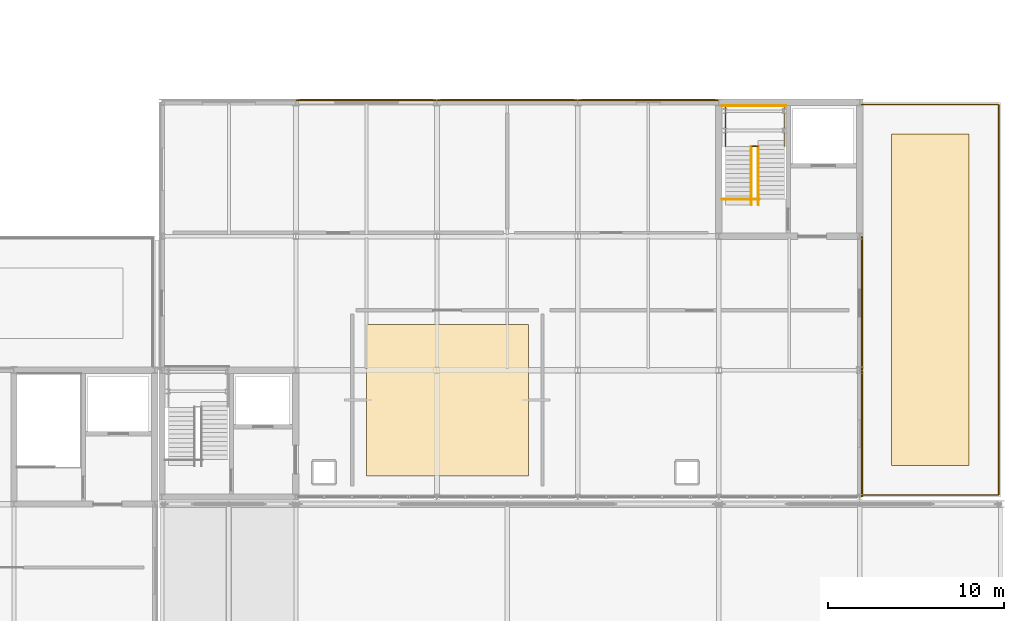
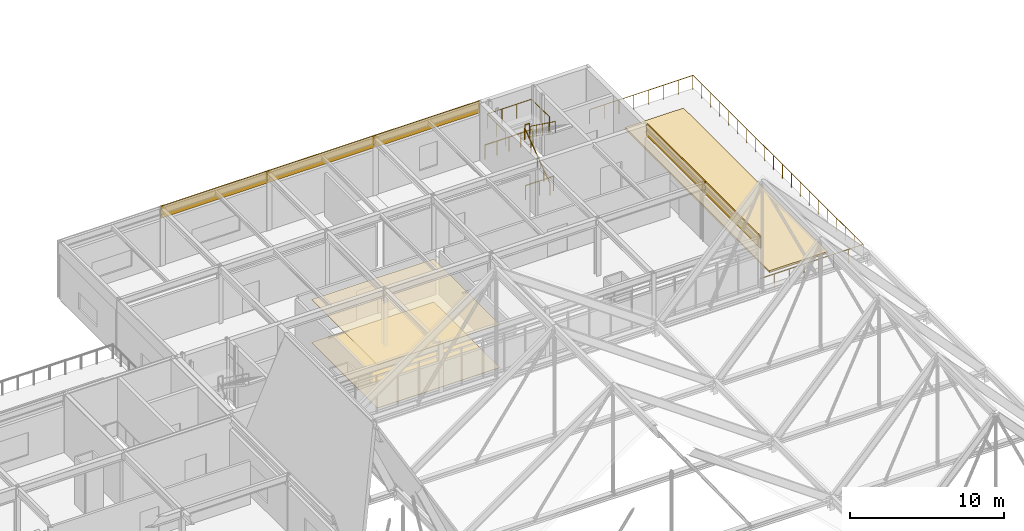
# One storey, part 100 of 100: 8 coverings, 7 railings.
"""IFC4 building model written with IfcOpenShell, lengths in metres."""

import ifcopenshell
import ifcopenshell.guid

model = None  # the IFC model being written
_history = None  # IfcOwnerHistory: only IFC2X3 demands one
_inside = {}  # id of a spatial element -> (the spatial element, [elements in it])
_under = {}  # id of a project, library or spatial element -> (it, [spatial elements below it])
_declared = {}  # id of a project -> (the project, [libraries it declares])
_typed = {}  # id of a type object -> (the type object, [elements of that type])
_made_of = {}  # id of a material, layer set ... -> (it, [elements and type objects made of it])


def new_model(schema):
    """Start an empty IFC model of exactly this schema.

    Asked for "IFC4X3", IfcOpenShell would pick the latest addendum, in which some entities
    have other attributes; the version numbers below select the first issue.
    IFC2X3 requires an IfcOwnerHistory on every rooted entity: one is made here for all.
    """
    global model, _history
    if schema == "IFC4X3":
        model = ifcopenshell.file(schema_version=(4, 3, 0, 0))
    else:
        model = ifcopenshell.file(schema=schema)
    _inside.clear()
    _under.clear()
    _declared.clear()
    _typed.clear()
    _made_of.clear()
    _history = None
    if model.schema == "IFC2X3":
        org = make("IfcOrganization", Name="unknown")
        user = make(
            "IfcPersonAndOrganization",
            ThePerson=make("IfcPerson", FamilyName="unknown"),
            TheOrganization=org,
        )
        app = make(
            "IfcApplication",
            ApplicationDeveloper=org,
            Version="unknown",
            ApplicationFullName="unknown",
            ApplicationIdentifier="unknown",
        )
        _history = make(
            "IfcOwnerHistory",
            OwningUser=user,
            OwningApplication=app,
            ChangeAction="ADDED",
            CreationDate=0,
        )
    return model


def make(cls, **values):
    """One entity of the class cls with the attributes given. An attribute that is None is left unset."""
    return model.create_entity(
        cls, **{name: value for name, value in values.items() if value is not None}
    )


def rooted(cls, **values):
    """An entity with a GlobalId (a new one), such as an element, a storey or a relation."""
    return make(cls, GlobalId=ifcopenshell.guid.new(), OwnerHistory=_history, **values)


def si_unit(unit_type, name, prefix=None):
    """IfcSIUnit, for example si_unit("LENGTHUNIT", "METRE", prefix="MILLI")."""
    return make("IfcSIUnit", UnitType=unit_type, Prefix=prefix, Name=name)


def assignment(units):
    """IfcUnitAssignment: the units of a project."""
    return None if units is None else make("IfcUnitAssignment", Units=units)


def point(xyz):
    """IfcCartesianPoint."""
    return None if xyz is None else make("IfcCartesianPoint", Coordinates=xyz)


def direction(xyz):
    """IfcDirection."""
    return None if xyz is None else make("IfcDirection", DirectionRatios=xyz)


def frame(location, z_axis=None, x_axis=None):
    """IfcAxis2Placement3D, a coordinate frame: its origin and axes. An axis left out is left unset."""
    return make(
        "IfcAxis2Placement3D",
        Location=point(location),
        Axis=direction(z_axis),
        RefDirection=direction(x_axis),
    )


def frame_2d(location, x_axis=None):
    """IfcAxis2Placement2D, a coordinate frame in the plane: its origin and x axis."""
    return make(
        "IfcAxis2Placement2D", Location=point(location), RefDirection=direction(x_axis)
    )


def origin():
    """The frame at (0, 0, 0) with its axes left unset."""
    return frame((0.0, 0.0, 0.0))


def origin_2d():
    """The frame at (0, 0) in the plane with its x axis left unset."""
    return frame_2d((0.0, 0.0))


def place(relative_to, where):
    """IfcLocalPlacement: puts the frame where relative to a parent placement (None: the world)."""
    return make(
        "IfcLocalPlacement", PlacementRelTo=relative_to, RelativePlacement=where
    )


def context(
    kind, dimensions, precision=None, world=None, true_north=None, identifier=None
):
    """IfcGeometricRepresentationContext, for example the 3D "Model" context."""
    return make(
        "IfcGeometricRepresentationContext",
        ContextIdentifier=identifier,
        ContextType=kind,
        CoordinateSpaceDimension=dimensions,
        Precision=precision,
        WorldCoordinateSystem=world,
        TrueNorth=true_north,
    )


def subcontext(parent, identifier, kind, view, scale=None):
    """IfcGeometricRepresentationSubContext, for example "Body" below "Model"."""
    return make(
        "IfcGeometricRepresentationSubContext",
        ContextIdentifier=identifier,
        ContextType=kind,
        ParentContext=parent,
        TargetScale=scale,
        TargetView=view,
    )


def project(units=None, contexts=None):
    """IfcProject with its units and contexts."""
    return rooted(
        "IfcProject",
        Name="project",
        RepresentationContexts=contexts,
        UnitsInContext=assignment(units),
    )


def spatial(cls, under=None, at=None, **own):
    """A site, building, storey or space (cls), placed at a placement, below another one or the project."""
    s = rooted(cls, ObjectPlacement=at, **own)
    if under is not None:
        _under.setdefault(under.id(), (under, []))[1].append(s)
    return s


def polyline(points):
    """IfcPolyline through the points."""
    return make("IfcPolyline", Points=[point(p) for p in points])


def profile(cls, at=None, kind="AREA", **sizes):
    """A parametric profile (cls). Its sizes go by their IFC names, for example OverallWidth=200.0."""
    return make(cls, ProfileType=kind, Position=at, **sizes)


def rectangle(**sizes):
    """IfcRectangleProfileDef."""
    return profile("IfcRectangleProfileDef", **sizes)


def circle(**sizes):
    """IfcCircleProfileDef."""
    return profile("IfcCircleProfileDef", **sizes)


def outline(outer, holes=None, kind="AREA"):
    """IfcArbitraryClosedProfileDef: a profile drawn as a closed curve; with holes, ...WithVoids."""
    if holes is None:
        return make("IfcArbitraryClosedProfileDef", ProfileType=kind, OuterCurve=outer)
    return make(
        "IfcArbitraryProfileDefWithVoids",
        ProfileType=kind,
        OuterCurve=outer,
        InnerCurves=holes,
    )


def extrude(swept, where, along, depth):
    """IfcExtrudedAreaSolid: the profile swept, set in the frame where, extruded along a direction by depth."""
    return make(
        "IfcExtrudedAreaSolid",
        SweptArea=swept,
        Position=where,
        ExtrudedDirection=direction(along),
        Depth=depth,
    )


def shape(context_of_items, identifier, shape_type, items):
    """IfcShapeRepresentation: the items that make up one representation, for example the "Body"."""
    return make(
        "IfcShapeRepresentation",
        ContextOfItems=context_of_items,
        RepresentationIdentifier=identifier,
        RepresentationType=shape_type,
        Items=items,
    )


def material(Name=None, Category=None):
    """IfcMaterial."""
    return make("IfcMaterial", Name=Name, Category=Category)


def layer(
    of_material, thickness, ventilated=None, Name=None, Category=None, Priority=None
):
    """IfcMaterialLayer: one layer of a wall or slab, of a material (None: an air gap)."""
    return make(
        "IfcMaterialLayer",
        Material=of_material,
        LayerThickness=thickness,
        IsVentilated=ventilated,
        Name=Name,
        Category=Category,
        Priority=Priority,
    )


def layer_set(layers, Name=None):
    """IfcMaterialLayerSet."""
    return make("IfcMaterialLayerSet", MaterialLayers=layers, LayerSetName=Name)


def made_of(thing, what):
    """Note that an element or type object is made of a material, layer set ...; save() writes the relation."""
    if what is not None:
        _made_of.setdefault(what.id(), (what, []))[1].append(thing)
    return thing


def type_object(cls, material=None, **own):
    """A type object (cls), such as IfcWallType, which elements share."""
    return made_of(rooted(cls, **own), material)


def element(
    cls,
    number,
    at=None,
    inside=None,
    cuts=None,
    type_object=None,
    material=None,
    context=None,
    identifier="Body",
    shape_type=None,
    held_by="IfcProductDefinitionShape",
    body=None,
    shapes=None,
    **own,
):
    """One element of the class cls, such as IfcWall. Its Tag is "e" and its number.

    at: its placement. inside: the storey or other place that contains it. cuts: it is an
    opening in that element (IfcRelVoidsElement). A single representation is given by context,
    identifier, shape_type and body (its items); several are given by shapes. held_by: the class
    of the entity that holds the representations. save() writes the other relations.
    """
    e = rooted(cls, Tag="e%d" % number, ObjectPlacement=at, **own)
    if body is not None:
        shapes = [shape(context, identifier, shape_type, body)]
    if shapes is not None:
        e.Representation = make(held_by, Representations=shapes)
    if inside is not None:
        _inside.setdefault(inside.id(), (inside, []))[1].append(e)
    if cuts is not None:
        rooted(
            "IfcRelVoidsElement", RelatingBuildingElement=cuts, RelatedOpeningElement=e
        )
    if type_object is not None:
        _typed.setdefault(type_object.id(), (type_object, []))[1].append(e)
    return made_of(e, material)


def aggregate(whole, parts):
    """IfcRelAggregates: a whole, such as a stair, and the parts it consists of."""
    return rooted("IfcRelAggregates", RelatingObject=whole, RelatedObjects=parts)


def save(model, path):
    """Write the relations noted so far, then the file.

    IfcRelAggregates (storeys below a building ...), IfcRelContainedInSpatialStructure (elements
    in a storey), IfcRelDefinesByType, IfcRelAssociatesMaterial and IfcRelDeclares: one each for
    every whole, place, type object, material and project.
    """
    for whole, parts in _under.values():
        aggregate(whole, parts)
    for where, things in _inside.values():
        rooted(
            "IfcRelContainedInSpatialStructure",
            RelatedElements=things,
            RelatingStructure=where,
        )
    for kind, things in _typed.values():
        rooted("IfcRelDefinesByType", RelatedObjects=things, RelatingType=kind)
    for what, things in _made_of.values():
        rooted("IfcRelAssociatesMaterial", RelatedObjects=things, RelatingMaterial=what)
    for by, libraries in _declared.values():
        rooted("IfcRelDeclares", RelatingContext=by, RelatedDefinitions=libraries)
    model.write(path)


model = new_model("IFC4")

# Units and contexts
model_context = context("Model", 3, precision=1e-05, world=origin(), true_north=direction((0.0, 1.0)))
body_context = subcontext(model_context, "Body", "Model", "MODEL_VIEW")
ifc_project = project(units=[si_unit("LENGTHUNIT", "METRE"), si_unit("AREAUNIT", "SQUARE_METRE"), si_unit("VOLUMEUNIT", "CUBIC_METRE"), si_unit("PLANEANGLEUNIT", "RADIAN"), si_unit("MASSUNIT", "GRAM", prefix="KILO")], contexts=[model_context])

# Site, building, storey
site_placement = place(None, origin())
site = spatial("IfcSite", under=ifc_project, at=site_placement, CompositionType="ELEMENT")
building_placement = place(site_placement, origin())
building = spatial("IfcBuilding", under=site, at=building_placement, Name="Zulena Civic Courthouse", CompositionType="ELEMENT")
storey_placement = place(building_placement, frame((0.0, 0.0, 20.39990234375)))
storey = spatial("IfcBuildingStorey", under=building, at=storey_placement, Name="L04", CompositionType="ELEMENT", Elevation=20.39990234375)

# Covering
ifc_material_1 = material(Name="Perforated acoustic mineral-fibre ceiling tile", Category="concrete")
ifc_layer_1 = layer(ifc_material_1, 0.02490234375)
ifc_layer_set_1 = layer_set([ifc_layer_1], Name="Perforated acoustic mineral-fibre ceiling tile")
covering_type_1 = type_object("IfcCoveringType", Name="AcousticCeiling_25", PredefinedType="CEILING", material=ifc_layer_set_1)
covering_1_placement = place(storey_placement, frame((0.0, 0.0, 3.420166015625)))
element("IfcCovering", 1, at=covering_1_placement, inside=storey, type_object=covering_type_1, Name="ceil:L04:279", PredefinedType="CEILING", context=body_context, shape_type="SweptSolid", body=[
    extrude(outline(polyline([(136.0, 32.0), (145.199951171875, 32.0), (145.199951171875, 40.60009765625), (136.0, 40.60009765625), (136.0, 32.0)])), origin(), (0.0, 0.0, 1.0), 0.02490234375),
])

# Railings
ifc_material_2 = material(Name="Brushed architectural steel ASTM A36", Category="steel")
railing_type_1 = type_object("IfcRailingType", Name="InteriorGuardrail_1150", PredefinedType="GUARDRAIL", material=ifc_material_2)
railing_1_placement = place(storey_placement, frame((156.199951171875, 53.010009765625, 0.0)))
element("IfcRailing", 2, at=railing_1_placement, inside=storey, type_object=railing_type_1, Name="gr:wellN:K3B:L03", PredefinedType="GUARDRAIL", context=body_context, shape_type="SweptSolid", body=[
    extrude(circle(Radius=0.02392578125, at=origin_2d()), frame((0.00390625, 0.0, 1.1259765625), z_axis=(1.0, 0.0, 0.0), x_axis=(0.0, 1.0, 0.0)), (0.0, 0.0, 1.0), 3.592041015625),
    extrude(circle(Radius=0.02099609375, at=origin_2d()), origin(), (0.0, 0.0, 1.0), 1.097900390625),
    extrude(circle(Radius=0.02099609375, at=origin_2d()), frame((0.89990234375, 0.0, 0.0)), (0.0, 0.0, 1.0), 1.097900390625),
    extrude(circle(Radius=0.02099609375, at=origin_2d()), frame((1.800048828125, 0.0, 0.0)), (0.0, 0.0, 1.0), 1.097900390625),
    extrude(circle(Radius=0.02099609375, at=origin_2d()), frame((2.7001953125, 0.0, 0.0)), (0.0, 0.0, 1.0), 1.097900390625),
    extrude(circle(Radius=0.02099609375, at=origin_2d()), frame((3.60009765625, 0.0, 0.0)), (0.0, 0.0, 1.0), 1.097900390625),
])
railing_2_placement = place(storey_placement, frame((156.179931640625, 47.699951171875, 0.0)))
element("IfcRailing", 3, at=railing_2_placement, inside=storey, type_object=railing_type_1, Name="gr:wells:K3B:L04", PredefinedType="GUARDRAIL", context=body_context, shape_type="SweptSolid", body=[
    extrude(circle(Radius=0.02392578125, at=origin_2d()), frame((0.00390625, 0.0, 1.1259765625), z_axis=(1.0, 0.0, 0.0), x_axis=(0.0, 1.0, 0.0)), (0.0, 0.0, 1.0), 2.112060546875),
    extrude(circle(Radius=0.02099609375, at=origin_2d()), origin(), (0.0, 0.0, 1.0), 1.097900390625),
    extrude(circle(Radius=0.02099609375, at=origin_2d()), frame((1.06005859375, 0.0, 0.0)), (0.0, 0.0, 1.0), 1.097900390625),
    extrude(circle(Radius=0.02099609375, at=origin_2d()), frame((2.1201171875, 0.0, 0.0)), (0.0, 0.0, 1.0), 1.097900390625),
])
railing_3_placement = place(storey_placement, frame((156.3798828125, 50.694580078125, 2.400146484375)))
element("IfcRailing", 4, at=railing_3_placement, inside=storey, type_object=railing_type_1, Name="gr:lnd:K3B:L04", PredefinedType="GUARDRAIL", context=body_context, shape_type="SweptSolid", body=[
    extrude(circle(Radius=0.02392578125, at=origin_2d()), frame((0.0, 0.00390625, 1.1259765625), z_axis=(0.0, 1.0, 0.0), x_axis=(-1.0, 0.0, 0.0)), (0.0, 0.0, 1.0), 2.3173828125),
    extrude(circle(Radius=0.02392578125, at=origin_2d()), frame((0.00390625, 2.325439453125, 1.1259765625), z_axis=(1.0, 0.0, 0.0), x_axis=(0.0, 1.0, 0.0)), (0.0, 0.0, 1.0), 3.33203125),
    extrude(circle(Radius=0.02392578125, at=origin_2d()), frame((3.340087890625, 2.321533203125, 1.1259765625), z_axis=(0.0, -1.0, 0.0), x_axis=(1.0, 0.0, 0.0)), (0.0, 0.0, 1.0), 2.3173828125),
    extrude(circle(Radius=0.02099609375, at=origin_2d()), origin(), (0.0, 0.0, 1.0), 1.097900390625),
    extrude(circle(Radius=0.02099609375, at=origin_2d()), frame((0.0, 1.16259765625, 0.0)), (0.0, 0.0, 1.0), 1.097900390625),
    extrude(circle(Radius=0.02099609375, at=origin_2d()), frame((0.0, 2.325439453125, 0.0)), (0.0, 0.0, 1.0), 1.097900390625),
    extrude(circle(Radius=0.02099609375, at=origin_2d()), frame((1.11328125, 2.325439453125, 0.0)), (0.0, 0.0, 1.0), 1.097900390625),
    extrude(circle(Radius=0.02099609375, at=origin_2d()), frame((2.226806640625, 2.325439453125, 0.0)), (0.0, 0.0, 1.0), 1.097900390625),
    extrude(circle(Radius=0.02099609375, at=origin_2d()), frame((3.340087890625, 2.325439453125, 0.0)), (0.0, 0.0, 1.0), 1.097900390625),
    extrude(circle(Radius=0.02099609375, at=origin_2d()), frame((3.340087890625, 1.16259765625, 0.0)), (0.0, 0.0, 1.0), 1.097900390625),
    extrude(circle(Radius=0.02099609375, at=origin_2d()), frame((3.340087890625, 0.0, 0.0)), (0.0, 0.0, 1.0), 1.097900390625),
])
railing_4_placement = place(storey_placement, frame((157.8798828125, 50.715087890625, 2.400146484375)))
element("IfcRailing", 5, at=railing_4_placement, inside=storey, type_object=railing_type_1, Name="gr:lndslot:K3B:L04", PredefinedType="GUARDRAIL", context=body_context, shape_type="SweptSolid", body=[
    extrude(circle(Radius=0.02392578125, at=origin_2d()), frame((0.00390625, 0.0, 1.1259765625), z_axis=(1.0, 0.0, 0.0), x_axis=(0.0, 1.0, 0.0)), (0.0, 0.0, 1.0), 0.33203125),
    extrude(circle(Radius=0.02099609375, at=origin_2d()), origin(), (0.0, 0.0, 1.0), 1.097900390625),
    extrude(circle(Radius=0.02099609375, at=origin_2d()), frame((0.340087890625, 0.0, 0.0)), (0.0, 0.0, 1.0), 1.097900390625),
])

# Coverings
ifc_material_3 = material(Name="Planted vegetated roof substrate and turf", Category="concrete")
ifc_layer_2 = layer(ifc_material_3, 0.139892578125)
ifc_layer_set_2 = layer_set([ifc_layer_2], Name="Planted vegetated roof substrate and turf")
covering_type_2 = type_object("IfcCoveringType", Name="PlantedGardenTopping_140", PredefinedType="ROOFING", material=ifc_layer_set_2)
covering_2_placement = place(storey_placement, origin())
element("IfcCovering", 6, at=covering_2_placement, inside=storey, type_object=covering_type_2, Name="cov:garden:TR-V3-L04", PredefinedType="ROOFING", context=body_context, shape_type="SweptSolid", body=[
    extrude(outline(polyline([(165.800048828125, 32.60009765625), (170.199951171875, 32.60009765625), (170.199951171875, 51.39990234375), (165.800048828125, 51.39990234375), (165.800048828125, 32.60009765625)])), origin(), (0.0, 0.0, 1.0), 0.14013671875),
])
ifc_material_4 = material(Name="White architectural precast concrete C40/50", Category="concrete")
ifc_layer_3 = layer(ifc_material_4, 0.0849609375)
ifc_layer_set_3 = layer_set([ifc_layer_3], Name="White architectural precast concrete C40/50")
covering_type_3 = type_object("IfcCoveringType", Name="PrecastSpandrelCladding_85", PredefinedType="CLADDING", material=ifc_layer_set_3)
for number, where, z_axis, x_axis, name in (
    (7, (136.0, 53.320068359375, 3.605224609375), (0.0, 0.0, 1.0), (1.0, 0.0, 0.0), "clad:sp:V3:L04:1:1"),
    (8, (144.0, 53.320068359375, 3.605224609375), (0.0, 0.0, 1.0), (1.0, 0.0, 0.0), "clad:sp:V3:L04:1:2"),
    (9, (152.0, 53.320068359375, 3.605224609375), (0.0, 0.0, 1.0), (1.0, 0.0, 0.0), "clad:sp:V3:L04:1:3"),
):
    element("IfcCovering", number, at=place(storey_placement, frame(where, z_axis=z_axis, x_axis=x_axis)), inside=storey, type_object=covering_type_3, Name=name, PredefinedType="CLADDING", context=body_context, shape_type="SweptSolid", body=[
        extrude(rectangle(XDim=7.9599609375, YDim=0.0849609375, at=origin_2d()), origin(), (0.0, 0.0, 1.0), 0.93994140625),
    ])
covering_3_placement = place(storey_placement, frame((164.1201171875, 41.800048828125, 3.605224609375), z_axis=(0.0, 0.0, 1.0), x_axis=(0.0, -1.0, 0.0)))
element("IfcCovering", 10, at=covering_3_placement, inside=storey, type_object=covering_type_3, Name="clad:sp:V3:L04:2:1", PredefinedType="CLADDING", context=body_context, shape_type="SweptSolid", body=[
    extrude(rectangle(XDim=7.56005859375, YDim=0.0849609375, at=origin_2d()), origin(), (0.0, 0.0, 1.0), 0.93994140625),
])
covering_4_placement = place(storey_placement, frame((164.1201171875, 34.39990234375, 3.605224609375), z_axis=(0.0, 0.0, 1.0), x_axis=(0.0, -1.0, 0.0)))
element("IfcCovering", 11, at=covering_4_placement, inside=storey, type_object=covering_type_3, Name="clad:sp:V3:L04:2:2", PredefinedType="CLADDING", context=body_context, shape_type="SweptSolid", body=[
    extrude(rectangle(XDim=7.159912109375, YDim=0.0849609375, at=origin_2d()), origin(), (0.0, 0.0, 1.0), 0.93994140625),
])

# Railings
railing_type_2 = type_object("IfcRailingType", Name="StairHandrail_920", PredefinedType="HANDRAIL", material=ifc_material_2)
railing_5_placement = place(storey_placement, frame((157.85009765625, 47.3798828125, 0.0)))
element("IfcRailing", 12, at=railing_5_placement, inside=storey, type_object=railing_type_2, Name="hr:K3B:L04:1", PredefinedType="HANDRAIL", context=body_context, shape_type="SweptSolid", body=[
    extrude(circle(Radius=0.02392578125, at=origin_2d()), frame((0.0, 0.003173828125, 0.898193359375), z_axis=(0.0, 0.809959711079, 0.586485521074), x_axis=(-1.0, 0.0, 0.0)), (0.0, 0.0, 1.0), 4.08447265625),
    extrude(circle(Radius=0.02099609375, at=origin_2d()), origin(), (0.0, 0.0, 1.0), 0.867919921875),
    extrude(circle(Radius=0.02099609375, at=origin_2d()), frame((0.0, 0.82861328125, 0.60009765625)), (0.0, 0.0, 1.0), 0.867919921875),
    extrude(circle(Radius=0.02099609375, at=origin_2d()), frame((0.0, 1.6572265625, 1.2001953125)), (0.0, 0.0, 1.0), 0.867919921875),
    extrude(circle(Radius=0.02099609375, at=origin_2d()), frame((0.0, 2.486083984375, 1.800048828125)), (0.0, 0.0, 1.0), 0.867919921875),
    extrude(circle(Radius=0.02099609375, at=origin_2d()), frame((0.0, 3.314697265625, 2.400146484375)), (0.0, 0.0, 1.0), 0.867919921875),
])
railing_6_placement = place(storey_placement, frame((158.25, 50.694580078125, 2.400146484375)))
element("IfcRailing", 13, at=railing_6_placement, inside=storey, type_object=railing_type_2, Name="hr:K3B:L04:2", PredefinedType="HANDRAIL", context=body_context, shape_type="SweptSolid", body=[
    extrude(circle(Radius=0.02392578125, at=origin_2d()), frame((0.0, -0.003173828125, 0.898193359375), z_axis=(0.0, -0.80998804985, 0.586446382119), x_axis=(1.0, 0.0, 0.0)), (0.0, 0.0, 1.0), 4.084228515625),
    extrude(circle(Radius=0.02099609375, at=origin_2d()), origin(), (0.0, 0.0, 1.0), 0.867919921875),
    extrude(circle(Radius=0.02099609375, at=origin_2d()), frame((0.0, -0.82861328125, 0.60009765625)), (0.0, 0.0, 1.0), 0.867919921875),
    extrude(circle(Radius=0.02099609375, at=origin_2d()), frame((0.0, -1.6572265625, 1.199951171875)), (0.0, 0.0, 1.0), 0.867919921875),
    extrude(circle(Radius=0.02099609375, at=origin_2d()), frame((0.0, -2.486083984375, 1.7998046875)), (0.0, 0.0, 1.0), 0.867919921875),
    extrude(circle(Radius=0.02099609375, at=origin_2d()), frame((0.0, -3.314697265625, 2.39990234375)), (0.0, 0.0, 1.0), 0.867919921875),
])
ifc_material_5 = material(Name="Bronze-painted architectural steel ASTM A36", Category="steel")
railing_type_3 = type_object("IfcRailingType", Name="TerraceBalustrade_1150", PredefinedType="BALUSTRADE", material=ifc_material_5)
railing_7_placement = place(storey_placement, frame((164.10009765625, 30.919921875, 0.0)))
element("IfcRailing", 14, at=railing_7_placement, inside=storey, type_object=railing_type_3, Name="guard:terrace:TR-V3-L04:0", PredefinedType="BALUSTRADE", context=body_context, shape_type="SweptSolid", body=[
    extrude(circle(Radius=0.02392578125, at=origin_2d()), frame((0.00390625, 0.0, 1.1259765625), z_axis=(1.0, 0.0, 0.0), x_axis=(0.0, 1.0, 0.0)), (0.0, 0.0, 1.0), 7.771728515625),
    extrude(circle(Radius=0.02392578125, at=origin_2d()), frame((7.77978515625, 0.00390625, 1.1259765625), z_axis=(0.0, 1.0, 0.0), x_axis=(-1.0, 0.0, 0.0)), (0.0, 0.0, 1.0), 22.152099609375),
    extrude(circle(Radius=0.02392578125, at=origin_2d()), frame((7.77587890625, 22.16015625, 1.1259765625), z_axis=(-1.0, 0.0, 0.0), x_axis=(0.0, -1.0, 0.0)), (0.0, 0.0, 1.0), 7.771728515625),
    extrude(circle(Radius=0.02099609375, at=origin_2d()), origin(), (0.0, 0.0, 1.0), 1.097900390625),
    extrude(circle(Radius=0.02099609375, at=origin_2d()), frame((1.111328125, 0.0, 0.0)), (0.0, 0.0, 1.0), 1.097900390625),
    extrude(circle(Radius=0.02099609375, at=origin_2d()), frame((2.222900390625, 0.0, 0.0)), (0.0, 0.0, 1.0), 1.097900390625),
    extrude(circle(Radius=0.02099609375, at=origin_2d()), frame((3.334228515625, 0.0, 0.0)), (0.0, 0.0, 1.0), 1.097900390625),
    extrude(circle(Radius=0.02099609375, at=origin_2d()), frame((4.445556640625, 0.0, 0.0)), (0.0, 0.0, 1.0), 1.097900390625),
    extrude(circle(Radius=0.02099609375, at=origin_2d()), frame((5.556884765625, 0.0, 0.0)), (0.0, 0.0, 1.0), 1.097900390625),
    extrude(circle(Radius=0.02099609375, at=origin_2d()), frame((6.66845703125, 0.0, 0.0)), (0.0, 0.0, 1.0), 1.097900390625),
    extrude(circle(Radius=0.02099609375, at=origin_2d()), frame((7.77978515625, 0.0, 0.0)), (0.0, 0.0, 1.0), 1.097900390625),
    extrude(circle(Radius=0.02099609375, at=origin_2d()), frame((7.77978515625, 1.166259765625, 0.0)), (0.0, 0.0, 1.0), 1.097900390625),
    extrude(circle(Radius=0.02099609375, at=origin_2d()), frame((7.77978515625, 2.332763671875, 0.0)), (0.0, 0.0, 1.0), 1.097900390625),
    extrude(circle(Radius=0.02099609375, at=origin_2d()), frame((7.77978515625, 3.4990234375, 0.0)), (0.0, 0.0, 1.0), 1.097900390625),
    extrude(circle(Radius=0.02099609375, at=origin_2d()), frame((7.77978515625, 4.665283203125, 0.0)), (0.0, 0.0, 1.0), 1.097900390625),
    extrude(circle(Radius=0.02099609375, at=origin_2d()), frame((7.77978515625, 5.83154296875, 0.0)), (0.0, 0.0, 1.0), 1.097900390625),
    extrude(circle(Radius=0.02099609375, at=origin_2d()), frame((7.77978515625, 6.998046875, 0.0)), (0.0, 0.0, 1.0), 1.097900390625),
    extrude(circle(Radius=0.02099609375, at=origin_2d()), frame((7.77978515625, 8.164306640625, 0.0)), (0.0, 0.0, 1.0), 1.097900390625),
    extrude(circle(Radius=0.02099609375, at=origin_2d()), frame((7.77978515625, 9.33056640625, 0.0)), (0.0, 0.0, 1.0), 1.097900390625),
    extrude(circle(Radius=0.02099609375, at=origin_2d()), frame((7.77978515625, 10.496826171875, 0.0)), (0.0, 0.0, 1.0), 1.097900390625),
    extrude(circle(Radius=0.02099609375, at=origin_2d()), frame((7.77978515625, 11.663330078125, 0.0)), (0.0, 0.0, 1.0), 1.097900390625),
    extrude(circle(Radius=0.02099609375, at=origin_2d()), frame((7.77978515625, 12.82958984375, 0.0)), (0.0, 0.0, 1.0), 1.097900390625),
    extrude(circle(Radius=0.02099609375, at=origin_2d()), frame((7.77978515625, 13.995849609375, 0.0)), (0.0, 0.0, 1.0), 1.097900390625),
    extrude(circle(Radius=0.02099609375, at=origin_2d()), frame((7.77978515625, 15.162109375, 0.0)), (0.0, 0.0, 1.0), 1.097900390625),
    extrude(circle(Radius=0.02099609375, at=origin_2d()), frame((7.77978515625, 16.32861328125, 0.0)), (0.0, 0.0, 1.0), 1.097900390625),
    extrude(circle(Radius=0.02099609375, at=origin_2d()), frame((7.77978515625, 17.494873046875, 0.0)), (0.0, 0.0, 1.0), 1.097900390625),
    extrude(circle(Radius=0.02099609375, at=origin_2d()), frame((7.77978515625, 18.6611328125, 0.0)), (0.0, 0.0, 1.0), 1.097900390625),
    extrude(circle(Radius=0.02099609375, at=origin_2d()), frame((7.77978515625, 19.827392578125, 0.0)), (0.0, 0.0, 1.0), 1.097900390625),
    extrude(circle(Radius=0.02099609375, at=origin_2d()), frame((7.77978515625, 20.993896484375, 0.0)), (0.0, 0.0, 1.0), 1.097900390625),
    extrude(circle(Radius=0.02099609375, at=origin_2d()), frame((7.77978515625, 22.16015625, 0.0)), (0.0, 0.0, 1.0), 1.097900390625),
    extrude(circle(Radius=0.02099609375, at=origin_2d()), frame((6.66845703125, 22.16015625, 0.0)), (0.0, 0.0, 1.0), 1.097900390625),
    extrude(circle(Radius=0.02099609375, at=origin_2d()), frame((5.556884765625, 22.16015625, 0.0)), (0.0, 0.0, 1.0), 1.097900390625),
    extrude(circle(Radius=0.02099609375, at=origin_2d()), frame((4.445556640625, 22.16015625, 0.0)), (0.0, 0.0, 1.0), 1.097900390625),
    extrude(circle(Radius=0.02099609375, at=origin_2d()), frame((3.334228515625, 22.16015625, 0.0)), (0.0, 0.0, 1.0), 1.097900390625),
    extrude(circle(Radius=0.02099609375, at=origin_2d()), frame((2.222900390625, 22.16015625, 0.0)), (0.0, 0.0, 1.0), 1.097900390625),
    extrude(circle(Radius=0.02099609375, at=origin_2d()), frame((1.111328125, 22.16015625, 0.0)), (0.0, 0.0, 1.0), 1.097900390625),
    extrude(circle(Radius=0.02099609375, at=origin_2d()), frame((0.0, 22.16015625, 0.0)), (0.0, 0.0, 1.0), 1.097900390625),
])

# Covering
ifc_material_6 = material(Name="Honed travertine stone flooring", Category="masonry")
ifc_layer_4 = layer(ifc_material_6, 0.030029296875)
ifc_layer_set_4 = layer_set([ifc_layer_4], Name="Honed travertine stone flooring")
covering_type_4 = type_object("IfcCoveringType", Name="TravertineFlooring_30", PredefinedType="FLOORING", material=ifc_layer_set_4)
covering_5_placement = place(storey_placement, origin())
element("IfcCovering", 15, at=covering_5_placement, inside=storey, type_object=covering_type_4, Name="floor:L04:279", PredefinedType="FLOORING", context=body_context, shape_type="SweptSolid", body=[
    extrude(outline(polyline([(136.0, 32.0), (145.199951171875, 32.0), (145.199951171875, 40.60009765625), (136.0, 40.60009765625), (136.0, 32.0)])), origin(), (0.0, 0.0, 1.0), 0.030029296875),
])

save(model, "model.ifc")
